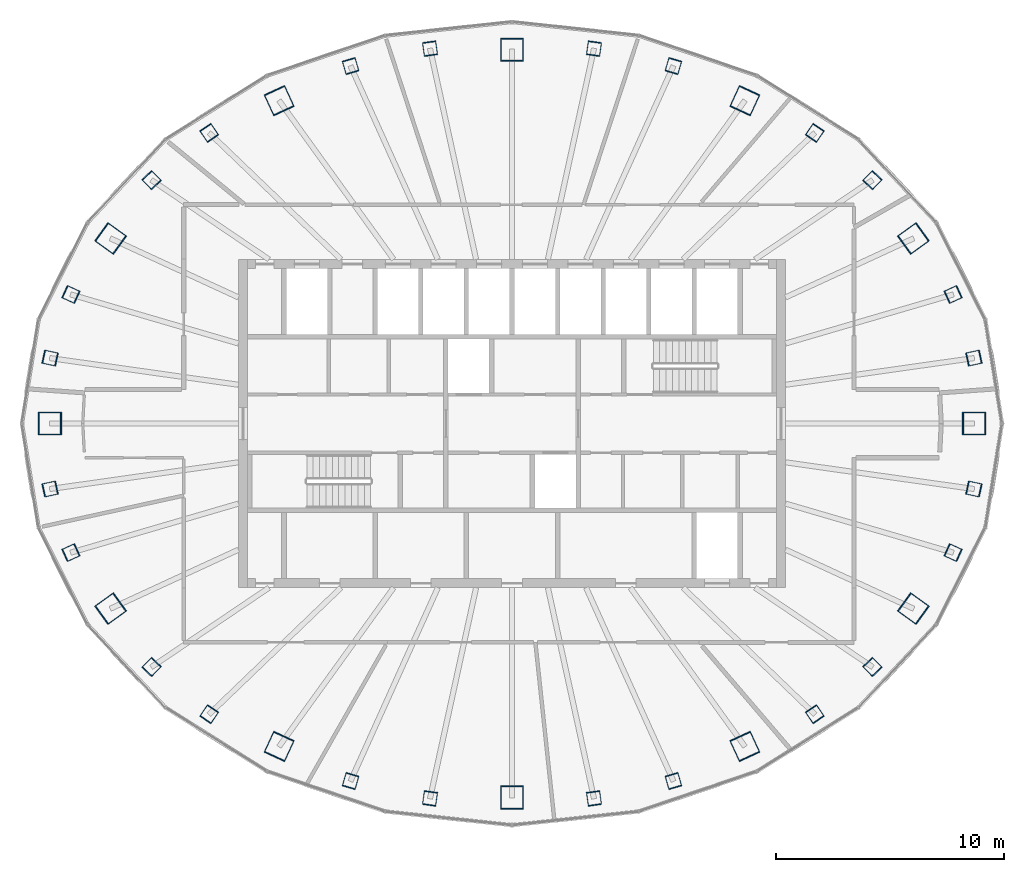
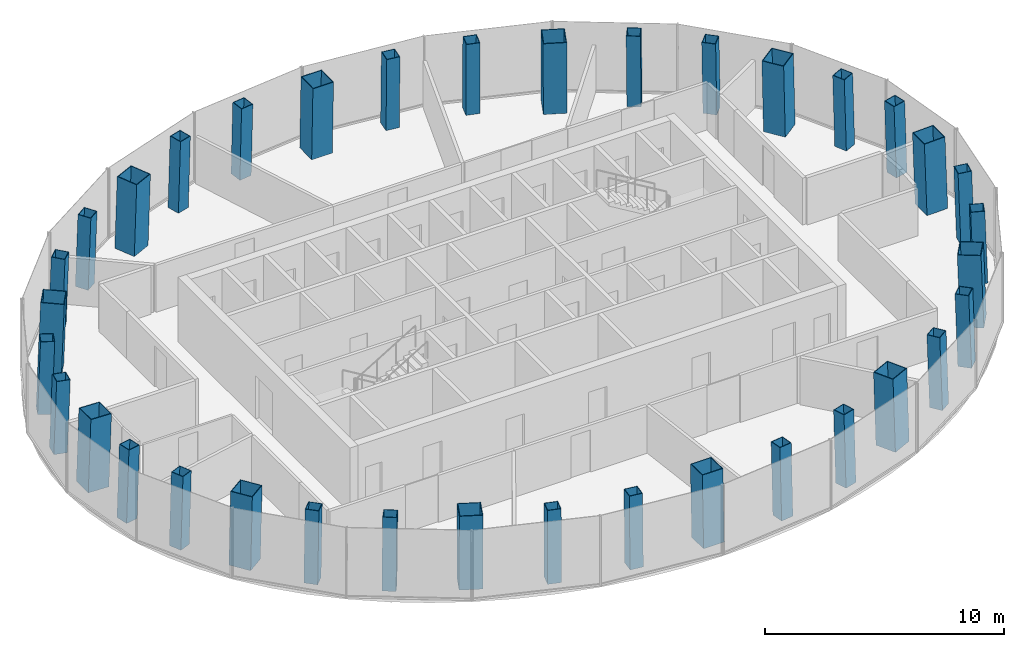
# One storey, part 1 of 12: 36 columns.
"""IFC4 building model written with IfcOpenShell, lengths in metres."""

import ifcopenshell
import ifcopenshell.guid

model = None  # the IFC model being written
_history = None  # IfcOwnerHistory: only IFC2X3 demands one
_inside = {}  # id of a spatial element -> (the spatial element, [elements in it])
_under = {}  # id of a project, library or spatial element -> (it, [spatial elements below it])
_declared = {}  # id of a project -> (the project, [libraries it declares])
_typed = {}  # id of a type object -> (the type object, [elements of that type])
_made_of = {}  # id of a material, layer set ... -> (it, [elements and type objects made of it])


def new_model(schema):
    """Start an empty IFC model of exactly this schema.

    Asked for "IFC4X3", IfcOpenShell would pick the latest addendum, in which some entities
    have other attributes; the version numbers below select the first issue.
    IFC2X3 requires an IfcOwnerHistory on every rooted entity: one is made here for all.
    """
    global model, _history
    if schema == "IFC4X3":
        model = ifcopenshell.file(schema_version=(4, 3, 0, 0))
    else:
        model = ifcopenshell.file(schema=schema)
    _inside.clear()
    _under.clear()
    _declared.clear()
    _typed.clear()
    _made_of.clear()
    _history = None
    if model.schema == "IFC2X3":
        org = make("IfcOrganization", Name="unknown")
        user = make(
            "IfcPersonAndOrganization",
            ThePerson=make("IfcPerson", FamilyName="unknown"),
            TheOrganization=org,
        )
        app = make(
            "IfcApplication",
            ApplicationDeveloper=org,
            Version="unknown",
            ApplicationFullName="unknown",
            ApplicationIdentifier="unknown",
        )
        _history = make(
            "IfcOwnerHistory",
            OwningUser=user,
            OwningApplication=app,
            ChangeAction="ADDED",
            CreationDate=0,
        )
    return model


def make(cls, **values):
    """One entity of the class cls with the attributes given. An attribute that is None is left unset."""
    return model.create_entity(
        cls, **{name: value for name, value in values.items() if value is not None}
    )


def rooted(cls, **values):
    """An entity with a GlobalId (a new one), such as an element, a storey or a relation."""
    return make(cls, GlobalId=ifcopenshell.guid.new(), OwnerHistory=_history, **values)


def si_unit(unit_type, name, prefix=None):
    """IfcSIUnit, for example si_unit("LENGTHUNIT", "METRE", prefix="MILLI")."""
    return make("IfcSIUnit", UnitType=unit_type, Prefix=prefix, Name=name)


def assignment(units):
    """IfcUnitAssignment: the units of a project."""
    return None if units is None else make("IfcUnitAssignment", Units=units)


def point(xyz):
    """IfcCartesianPoint."""
    return None if xyz is None else make("IfcCartesianPoint", Coordinates=xyz)


def direction(xyz):
    """IfcDirection."""
    return None if xyz is None else make("IfcDirection", DirectionRatios=xyz)


def frame(location, z_axis=None, x_axis=None):
    """IfcAxis2Placement3D, a coordinate frame: its origin and axes. An axis left out is left unset."""
    return make(
        "IfcAxis2Placement3D",
        Location=point(location),
        Axis=direction(z_axis),
        RefDirection=direction(x_axis),
    )


def frame_2d(location, x_axis=None):
    """IfcAxis2Placement2D, a coordinate frame in the plane: its origin and x axis."""
    return make(
        "IfcAxis2Placement2D", Location=point(location), RefDirection=direction(x_axis)
    )


def origin():
    """The frame at (0, 0, 0) with its axes left unset."""
    return frame((0.0, 0.0, 0.0))


def origin_2d():
    """The frame at (0, 0) in the plane with its x axis left unset."""
    return frame_2d((0.0, 0.0))


def place(relative_to, where):
    """IfcLocalPlacement: puts the frame where relative to a parent placement (None: the world)."""
    return make(
        "IfcLocalPlacement", PlacementRelTo=relative_to, RelativePlacement=where
    )


def context(
    kind, dimensions, precision=None, world=None, true_north=None, identifier=None
):
    """IfcGeometricRepresentationContext, for example the 3D "Model" context."""
    return make(
        "IfcGeometricRepresentationContext",
        ContextIdentifier=identifier,
        ContextType=kind,
        CoordinateSpaceDimension=dimensions,
        Precision=precision,
        WorldCoordinateSystem=world,
        TrueNorth=true_north,
    )


def subcontext(parent, identifier, kind, view, scale=None):
    """IfcGeometricRepresentationSubContext, for example "Body" below "Model"."""
    return make(
        "IfcGeometricRepresentationSubContext",
        ContextIdentifier=identifier,
        ContextType=kind,
        ParentContext=parent,
        TargetScale=scale,
        TargetView=view,
    )


def project(units=None, contexts=None):
    """IfcProject with its units and contexts."""
    return rooted(
        "IfcProject",
        Name="project",
        RepresentationContexts=contexts,
        UnitsInContext=assignment(units),
    )


def spatial(cls, under=None, at=None, **own):
    """A site, building, storey or space (cls), placed at a placement, below another one or the project."""
    s = rooted(cls, ObjectPlacement=at, **own)
    if under is not None:
        _under.setdefault(under.id(), (under, []))[1].append(s)
    return s


def profile(cls, at=None, kind="AREA", **sizes):
    """A parametric profile (cls). Its sizes go by their IFC names, for example OverallWidth=200.0."""
    return make(cls, ProfileType=kind, Position=at, **sizes)


def hollow_rectangle(**sizes):
    """IfcRectangleHollowProfileDef."""
    return profile("IfcRectangleHollowProfileDef", **sizes)


def extrude(swept, where, along, depth):
    """IfcExtrudedAreaSolid: the profile swept, set in the frame where, extruded along a direction by depth."""
    return make(
        "IfcExtrudedAreaSolid",
        SweptArea=swept,
        Position=where,
        ExtrudedDirection=direction(along),
        Depth=depth,
    )


def shape(context_of_items, identifier, shape_type, items):
    """IfcShapeRepresentation: the items that make up one representation, for example the "Body"."""
    return make(
        "IfcShapeRepresentation",
        ContextOfItems=context_of_items,
        RepresentationIdentifier=identifier,
        RepresentationType=shape_type,
        Items=items,
    )


def material(Name=None, Category=None):
    """IfcMaterial."""
    return make("IfcMaterial", Name=Name, Category=Category)


def material_profile(
    of_material, cross_section, Name=None, Category=None, Priority=None
):
    """IfcMaterialProfile: a cross section and its material."""
    return make(
        "IfcMaterialProfile",
        Name=Name,
        Material=of_material,
        Profile=cross_section,
        Priority=Priority,
        Category=Category,
    )


def profile_set(profiles, Name=None, composite=None):
    """IfcMaterialProfileSet."""
    return make(
        "IfcMaterialProfileSet",
        Name=Name,
        MaterialProfiles=profiles,
        CompositeProfile=composite,
    )


def made_of(thing, what):
    """Note that an element or type object is made of a material, layer set ...; save() writes the relation."""
    if what is not None:
        _made_of.setdefault(what.id(), (what, []))[1].append(thing)
    return thing


def type_object(cls, material=None, **own):
    """A type object (cls), such as IfcWallType, which elements share."""
    return made_of(rooted(cls, **own), material)


def element(
    cls,
    number,
    at=None,
    inside=None,
    cuts=None,
    type_object=None,
    material=None,
    context=None,
    identifier="Body",
    shape_type=None,
    held_by="IfcProductDefinitionShape",
    body=None,
    shapes=None,
    **own,
):
    """One element of the class cls, such as IfcWall. Its Tag is "e" and its number.

    at: its placement. inside: the storey or other place that contains it. cuts: it is an
    opening in that element (IfcRelVoidsElement). A single representation is given by context,
    identifier, shape_type and body (its items); several are given by shapes. held_by: the class
    of the entity that holds the representations. save() writes the other relations.
    """
    e = rooted(cls, Tag="e%d" % number, ObjectPlacement=at, **own)
    if body is not None:
        shapes = [shape(context, identifier, shape_type, body)]
    if shapes is not None:
        e.Representation = make(held_by, Representations=shapes)
    if inside is not None:
        _inside.setdefault(inside.id(), (inside, []))[1].append(e)
    if cuts is not None:
        rooted(
            "IfcRelVoidsElement", RelatingBuildingElement=cuts, RelatedOpeningElement=e
        )
    if type_object is not None:
        _typed.setdefault(type_object.id(), (type_object, []))[1].append(e)
    return made_of(e, material)


def aggregate(whole, parts):
    """IfcRelAggregates: a whole, such as a stair, and the parts it consists of."""
    return rooted("IfcRelAggregates", RelatingObject=whole, RelatedObjects=parts)


def save(model, path):
    """Write the relations noted so far, then the file.

    IfcRelAggregates (storeys below a building ...), IfcRelContainedInSpatialStructure (elements
    in a storey), IfcRelDefinesByType, IfcRelAssociatesMaterial and IfcRelDeclares: one each for
    every whole, place, type object, material and project.
    """
    for whole, parts in _under.values():
        aggregate(whole, parts)
    for where, things in _inside.values():
        rooted(
            "IfcRelContainedInSpatialStructure",
            RelatedElements=things,
            RelatingStructure=where,
        )
    for kind, things in _typed.values():
        rooted("IfcRelDefinesByType", RelatedObjects=things, RelatingType=kind)
    for what, things in _made_of.values():
        rooted("IfcRelAssociatesMaterial", RelatedObjects=things, RelatingMaterial=what)
    for by, libraries in _declared.values():
        rooted("IfcRelDeclares", RelatingContext=by, RelatedDefinitions=libraries)
    model.write(path)


model = new_model("IFC4")

# Units and contexts
model_context = context("Model", 3, precision=1e-05, world=origin(), true_north=direction((0.0, 1.0)))
body_context = subcontext(model_context, "Body", "Model", "MODEL_VIEW")
ifc_project = project(units=[si_unit("LENGTHUNIT", "METRE"), si_unit("AREAUNIT", "SQUARE_METRE"), si_unit("VOLUMEUNIT", "CUBIC_METRE"), si_unit("PLANEANGLEUNIT", "RADIAN"), si_unit("MASSUNIT", "GRAM", prefix="KILO")], contexts=[model_context])

# Site, building, storey
site_placement = place(None, origin())
site = spatial("IfcSite", under=ifc_project, at=site_placement, CompositionType="ELEMENT")
building_placement = place(site_placement, origin())
building = spatial("IfcBuilding", under=site, at=building_placement, Name="Siaravel Broadcast Tower", CompositionType="ELEMENT")
storey_placement = place(building_placement, frame((0.0, 0.0, 235.60009765625)))
storey = spatial("IfcBuildingStorey", under=building, at=storey_placement, Name="L57", CompositionType="ELEMENT", Elevation=235.60009765625)

# Columns
ifc_material_1 = material(Name="Concrete C70/85", Category="concrete")
ifc_material_profile_1 = material_profile(ifc_material_1, hollow_rectangle(XDim=1.0, YDim=1.0, WallThickness=0.031982421875, at=origin_2d()))
ifc_profile_set_1 = profile_set([ifc_material_profile_1], Name="Concrete C70/85")
column_type_1 = type_object("IfcColumnType", Name="COL-CFT BOX 1000x1000x32", PredefinedType="COLUMN", material=ifc_profile_set_1)
column_1_placement = place(storey_placement, frame((20.2880859375, 0.0, 0.0), z_axis=(-0.034621265, 0.0, 0.999400504), x_axis=(0.0, -1.0, 0.0)))
element("IfcColumn", 1, at=column_1_placement, inside=storey, type_object=column_type_1, Name="Megacolumn MC01", PredefinedType="COLUMN", context=body_context, shape_type="SweptSolid", body=[
    extrude(hollow_rectangle(XDim=1.0, YDim=1.0, WallThickness=0.031982421875, at=origin_2d()), origin(), (0.0, 0.0, 1.0), 3.7021484375),
])
column_2_placement = place(storey_placement, frame((17.623291015625, 8.1259765625, 0.0), z_axis=(-0.029940667, -0.01417895, 0.999451106), x_axis=(0.584368829, -0.811466046, 0.005993946)))
element("IfcColumn", 2, at=column_2_placement, inside=storey, type_object=column_type_1, Name="Megacolumn MC02", PredefinedType="COLUMN", context=body_context, shape_type="SweptSolid", body=[
    extrude(hollow_rectangle(XDim=1.0, YDim=1.0, WallThickness=0.031982421875, at=origin_2d()), origin(), (0.0, 0.0, 1.0), 3.701904296875),
])
column_3_placement = place(storey_placement, frame((10.2236328125, 14.177490234375, 0.0), z_axis=(-0.017280265, -0.024469383, 0.99955122), x_axis=(0.908141957, -0.418626878, 0.005451839)))
element("IfcColumn", 3, at=column_3_placement, inside=storey, type_object=column_type_1, Name="Megacolumn MC03", PredefinedType="COLUMN", context=body_context, shape_type="SweptSolid", body=[
    extrude(hollow_rectangle(XDim=1.0, YDim=1.0, WallThickness=0.031982421875, at=origin_2d()), origin(), (0.0, 0.0, 1.0), 3.70166015625),
])
column_4_placement = place(storey_placement, frame((0.0, 16.419189453125, 0.0), z_axis=(0.0, -0.02836206, 0.999597716), x_axis=(1.0, 0.0, 0.0)))
element("IfcColumn", 4, at=column_4_placement, inside=storey, type_object=column_type_1, Name="Megacolumn MC04", PredefinedType="COLUMN", context=body_context, shape_type="SweptSolid", body=[
    extrude(hollow_rectangle(XDim=1.0, YDim=1.0, WallThickness=0.031982421875, at=origin_2d()), origin(), (0.0, 0.0, 1.0), 3.701416015625),
])
column_5_placement = place(storey_placement, frame((-10.2236328125, 14.177490234375, 0.0), z_axis=(0.017280265, -0.024469383, 0.99955122), x_axis=(0.908141957, 0.418626878, -0.005451839)))
element("IfcColumn", 5, at=column_5_placement, inside=storey, type_object=column_type_1, Name="Megacolumn MC05", PredefinedType="COLUMN", context=body_context, shape_type="SweptSolid", body=[
    extrude(hollow_rectangle(XDim=1.0, YDim=1.0, WallThickness=0.031982421875, at=origin_2d()), origin(), (0.0, 0.0, 1.0), 3.70166015625),
])
column_6_placement = place(storey_placement, frame((-17.623291015625, 8.1259765625, 0.0), z_axis=(0.029940667, -0.01417895, 0.999451106), x_axis=(0.584368829, 0.811466046, -0.005993946)))
element("IfcColumn", 6, at=column_6_placement, inside=storey, type_object=column_type_1, Name="Megacolumn MC06", PredefinedType="COLUMN", context=body_context, shape_type="SweptSolid", body=[
    extrude(hollow_rectangle(XDim=1.0, YDim=1.0, WallThickness=0.031982421875, at=origin_2d()), origin(), (0.0, 0.0, 1.0), 3.701904296875),
])
column_7_placement = place(storey_placement, frame((-20.2880859375, 0.0, 0.0), z_axis=(0.034621265, 0.0, 0.999400504), x_axis=(0.0, 1.0, 0.0)))
element("IfcColumn", 7, at=column_7_placement, inside=storey, type_object=column_type_1, Name="Megacolumn MC07", PredefinedType="COLUMN", context=body_context, shape_type="SweptSolid", body=[
    extrude(hollow_rectangle(XDim=1.0, YDim=1.0, WallThickness=0.031982421875, at=origin_2d()), origin(), (0.0, 0.0, 1.0), 3.7021484375),
])
column_8_placement = place(storey_placement, frame((-17.623291015625, -8.1259765625, 0.0), z_axis=(0.029940667, 0.01417895, 0.999451106), x_axis=(-0.584368829, 0.811466046, 0.005993946)))
element("IfcColumn", 8, at=column_8_placement, inside=storey, type_object=column_type_1, Name="Megacolumn MC08", PredefinedType="COLUMN", context=body_context, shape_type="SweptSolid", body=[
    extrude(hollow_rectangle(XDim=1.0, YDim=1.0, WallThickness=0.031982421875, at=origin_2d()), origin(), (0.0, 0.0, 1.0), 3.701904296875),
])
column_9_placement = place(storey_placement, frame((-10.2236328125, -14.177490234375, 0.0), z_axis=(0.017280265, 0.024469383, 0.99955122), x_axis=(-0.908141957, 0.418626878, 0.005451839)))
element("IfcColumn", 9, at=column_9_placement, inside=storey, type_object=column_type_1, Name="Megacolumn MC09", PredefinedType="COLUMN", context=body_context, shape_type="SweptSolid", body=[
    extrude(hollow_rectangle(XDim=1.0, YDim=1.0, WallThickness=0.031982421875, at=origin_2d()), origin(), (0.0, 0.0, 1.0), 3.70166015625),
])
column_10_placement = place(storey_placement, frame((0.0, -16.419189453125, 0.0), z_axis=(0.0, 0.02836206, 0.999597716), x_axis=(-1.0, 0.0, 0.0)))
element("IfcColumn", 10, at=column_10_placement, inside=storey, type_object=column_type_1, Name="Megacolumn MC10", PredefinedType="COLUMN", context=body_context, shape_type="SweptSolid", body=[
    extrude(hollow_rectangle(XDim=1.0, YDim=1.0, WallThickness=0.031982421875, at=origin_2d()), origin(), (0.0, 0.0, 1.0), 3.701416015625),
])
column_11_placement = place(storey_placement, frame((10.2236328125, -14.177490234375, 0.0), z_axis=(-0.017280265, 0.024469383, 0.99955122), x_axis=(-0.908141957, -0.418626878, -0.005451839)))
element("IfcColumn", 11, at=column_11_placement, inside=storey, type_object=column_type_1, Name="Megacolumn MC11", PredefinedType="COLUMN", context=body_context, shape_type="SweptSolid", body=[
    extrude(hollow_rectangle(XDim=1.0, YDim=1.0, WallThickness=0.031982421875, at=origin_2d()), origin(), (0.0, 0.0, 1.0), 3.70166015625),
])
column_12_placement = place(storey_placement, frame((17.623291015625, -8.1259765625, 0.0), z_axis=(-0.029940667, 0.01417895, 0.999451106), x_axis=(-0.584368829, -0.811466046, -0.005993946)))
element("IfcColumn", 12, at=column_12_placement, inside=storey, type_object=column_type_1, Name="Megacolumn MC12", PredefinedType="COLUMN", context=body_context, shape_type="SweptSolid", body=[
    extrude(hollow_rectangle(XDim=1.0, YDim=1.0, WallThickness=0.031982421875, at=origin_2d()), origin(), (0.0, 0.0, 1.0), 3.701904296875),
])
ifc_material_2 = material(Name="Concrete C50/60", Category="concrete")
ifc_material_profile_2 = material_profile(ifc_material_2, hollow_rectangle(XDim=0.60009765625, YDim=0.60009765625, WallThickness=0.02490234375, at=origin_2d()))
ifc_profile_set_2 = profile_set([ifc_material_profile_2], Name="Concrete C50/60")
column_type_2 = type_object("IfcColumnType", Name="COL-CFT BOX 600x600x25", PredefinedType="COLUMN", material=ifc_profile_set_2)
for number, where, z_axis, x_axis, name in (
    (13, (20.281005859375, 2.873779296875, 0.0), (-0.034093914, -0.00487998, 0.999406719), (0.211771136, -0.977316209, 0.002452278), "Perimeter column C01"),
    (14, (19.3671875, 5.6669921875, 0.0), (-0.032577668, -0.009694164, 0.999422192), (0.410159273, -0.912002691, 0.004523542), "Perimeter column C02"),
):
    element("IfcColumn", number, at=place(storey_placement, frame(where, z_axis=z_axis, x_axis=x_axis)), inside=storey, type_object=column_type_2, Name=name, PredefinedType="COLUMN", context=body_context, shape_type="SweptSolid", body=[
        extrude(hollow_rectangle(XDim=0.60009765625, YDim=0.60009765625, WallThickness=0.02490234375, at=origin_2d()), origin(), (0.0, 0.0, 1.0), 3.7021484375),
    ])
column_13_placement = place(storey_placement, frame((15.8251953125, 10.688720703125, 0.0), z_axis=(-0.026446242, -0.018268352, 0.999483298), x_axis=(0.722768771, -0.691059433, 0.006493356)))
element("IfcColumn", 15, at=column_13_placement, inside=storey, type_object=column_type_2, Name="Perimeter column C03", PredefinedType="COLUMN", context=body_context, shape_type="SweptSolid", body=[
    extrude(hollow_rectangle(XDim=0.60009765625, YDim=0.60009765625, WallThickness=0.02490234375, at=origin_2d()), origin(), (0.0, 0.0, 1.0), 3.701904296875),
])
column_14_placement = place(storey_placement, frame((13.294921875, 12.76123046875, 0.0), z_axis=(-0.022292076, -0.0216985, 0.999516002), x_axis=(0.827979801, -0.560722605, 0.006293595)))
element("IfcColumn", 16, at=column_14_placement, inside=storey, type_object=column_type_2, Name="Perimeter column C04", PredefinedType="COLUMN", context=body_context, shape_type="SweptSolid", body=[
    extrude(hollow_rectangle(XDim=0.60009765625, YDim=0.60009765625, WallThickness=0.02490234375, at=origin_2d()), origin(), (0.0, 0.0, 1.0), 3.70166015625),
])
for number, where, z_axis, x_axis, name in (
    (17, (7.086669921875, 15.696044921875, 0.0), (-0.011872213, -0.026646524, 0.999574416), (0.959698272, -0.281005261, 0.003907592), "Perimeter column C05"),
    (18, (3.599609375, 16.461181640625, 0.0), (-0.006002173, -0.027900212, 0.999592693), (0.990201099, -0.139633766, 0.002048381), "Perimeter column C06"),
    (19, (-3.599609375, 16.461181640625, 0.0), (0.006002173, -0.027900212, 0.999592693), (0.990201099, 0.139633766, -0.002048381), "Perimeter column C07"),
    (20, (-7.086669921875, 15.696044921875, 0.0), (0.011872213, -0.026646524, 0.999574416), (0.959698272, 0.281005261, -0.003907592), "Perimeter column C08"),
):
    element("IfcColumn", number, at=place(storey_placement, frame(where, z_axis=z_axis, x_axis=x_axis)), inside=storey, type_object=column_type_2, Name=name, PredefinedType="COLUMN", context=body_context, shape_type="SweptSolid", body=[
        extrude(hollow_rectangle(XDim=0.60009765625, YDim=0.60009765625, WallThickness=0.02490234375, at=origin_2d()), origin(), (0.0, 0.0, 1.0), 3.701416015625),
    ])
column_15_placement = place(storey_placement, frame((-13.294921875, 12.76123046875, 0.0), z_axis=(0.022292076, -0.0216985, 0.999516002), x_axis=(0.827979801, 0.560722605, -0.006293595)))
element("IfcColumn", 21, at=column_15_placement, inside=storey, type_object=column_type_2, Name="Perimeter column C09", PredefinedType="COLUMN", context=body_context, shape_type="SweptSolid", body=[
    extrude(hollow_rectangle(XDim=0.60009765625, YDim=0.60009765625, WallThickness=0.02490234375, at=origin_2d()), origin(), (0.0, 0.0, 1.0), 3.70166015625),
])
column_16_placement = place(storey_placement, frame((-15.8251953125, 10.688720703125, 0.0), z_axis=(0.026446242, -0.018268352, 0.999483298), x_axis=(0.722768771, 0.691059433, -0.006493356)))
element("IfcColumn", 22, at=column_16_placement, inside=storey, type_object=column_type_2, Name="Perimeter column C10", PredefinedType="COLUMN", context=body_context, shape_type="SweptSolid", body=[
    extrude(hollow_rectangle(XDim=0.60009765625, YDim=0.60009765625, WallThickness=0.02490234375, at=origin_2d()), origin(), (0.0, 0.0, 1.0), 3.701904296875),
])
for number, where, z_axis, x_axis, name in (
    (23, (-19.3671875, 5.6669921875, 0.0), (0.032577668, -0.009694164, 0.999422192), (0.410159273, 0.912002691, -0.004523542), "Perimeter column C11"),
    (24, (-20.281005859375, 2.873779296875, 0.0), (0.034093914, -0.00487998, 0.999406719), (0.211771136, 0.977316209, -0.002452278), "Perimeter column C12"),
    (25, (-20.281005859375, -2.873779296875, 0.0), (0.034093914, 0.00487998, 0.999406719), (-0.211771136, 0.977316209, 0.002452278), "Perimeter column C13"),
    (26, (-19.3671875, -5.6669921875, 0.0), (0.032577668, 0.009694164, 0.999422192), (-0.410159273, 0.912002691, 0.004523542), "Perimeter column C14"),
):
    element("IfcColumn", number, at=place(storey_placement, frame(where, z_axis=z_axis, x_axis=x_axis)), inside=storey, type_object=column_type_2, Name=name, PredefinedType="COLUMN", context=body_context, shape_type="SweptSolid", body=[
        extrude(hollow_rectangle(XDim=0.60009765625, YDim=0.60009765625, WallThickness=0.02490234375, at=origin_2d()), origin(), (0.0, 0.0, 1.0), 3.7021484375),
    ])
column_17_placement = place(storey_placement, frame((-15.8251953125, -10.688720703125, 0.0), z_axis=(0.026446242, 0.018268352, 0.999483298), x_axis=(-0.722768771, 0.691059433, 0.006493356)))
element("IfcColumn", 27, at=column_17_placement, inside=storey, type_object=column_type_2, Name="Perimeter column C15", PredefinedType="COLUMN", context=body_context, shape_type="SweptSolid", body=[
    extrude(hollow_rectangle(XDim=0.60009765625, YDim=0.60009765625, WallThickness=0.02490234375, at=origin_2d()), origin(), (0.0, 0.0, 1.0), 3.701904296875),
])
column_18_placement = place(storey_placement, frame((-13.294921875, -12.76123046875, 0.0), z_axis=(0.022292076, 0.0216985, 0.999516002), x_axis=(-0.827979801, 0.560722605, 0.006293595)))
element("IfcColumn", 28, at=column_18_placement, inside=storey, type_object=column_type_2, Name="Perimeter column C16", PredefinedType="COLUMN", context=body_context, shape_type="SweptSolid", body=[
    extrude(hollow_rectangle(XDim=0.60009765625, YDim=0.60009765625, WallThickness=0.02490234375, at=origin_2d()), origin(), (0.0, 0.0, 1.0), 3.70166015625),
])
for number, where, z_axis, x_axis, name in (
    (29, (-7.086669921875, -15.696044921875, 0.0), (0.011872213, 0.026646524, 0.999574416), (-0.959698272, 0.281005261, 0.003907592), "Perimeter column C17"),
    (30, (-3.599609375, -16.461181640625, 0.0), (0.006002173, 0.027900212, 0.999592693), (-0.990201099, 0.139633766, 0.002048381), "Perimeter column C18"),
    (31, (3.599609375, -16.461181640625, 0.0), (-0.006002173, 0.027900212, 0.999592693), (-0.990201099, -0.139633766, -0.002048381), "Perimeter column C19"),
    (32, (7.086669921875, -15.696044921875, 0.0), (-0.011872213, 0.026646524, 0.999574416), (-0.959698272, -0.281005261, -0.003907592), "Perimeter column C20"),
):
    element("IfcColumn", number, at=place(storey_placement, frame(where, z_axis=z_axis, x_axis=x_axis)), inside=storey, type_object=column_type_2, Name=name, PredefinedType="COLUMN", context=body_context, shape_type="SweptSolid", body=[
        extrude(hollow_rectangle(XDim=0.60009765625, YDim=0.60009765625, WallThickness=0.02490234375, at=origin_2d()), origin(), (0.0, 0.0, 1.0), 3.701416015625),
    ])
column_19_placement = place(storey_placement, frame((13.294921875, -12.76123046875, 0.0), z_axis=(-0.022292076, 0.0216985, 0.999516002), x_axis=(-0.827979801, -0.560722605, -0.006293595)))
element("IfcColumn", 33, at=column_19_placement, inside=storey, type_object=column_type_2, Name="Perimeter column C21", PredefinedType="COLUMN", context=body_context, shape_type="SweptSolid", body=[
    extrude(hollow_rectangle(XDim=0.60009765625, YDim=0.60009765625, WallThickness=0.02490234375, at=origin_2d()), origin(), (0.0, 0.0, 1.0), 3.70166015625),
])
column_20_placement = place(storey_placement, frame((15.8251953125, -10.688720703125, 0.0), z_axis=(-0.026446242, 0.018268352, 0.999483298), x_axis=(-0.722768771, -0.691059433, -0.006493356)))
element("IfcColumn", 34, at=column_20_placement, inside=storey, type_object=column_type_2, Name="Perimeter column C22", PredefinedType="COLUMN", context=body_context, shape_type="SweptSolid", body=[
    extrude(hollow_rectangle(XDim=0.60009765625, YDim=0.60009765625, WallThickness=0.02490234375, at=origin_2d()), origin(), (0.0, 0.0, 1.0), 3.701904296875),
])
for number, where, z_axis, x_axis, name in (
    (35, (19.3671875, -5.6669921875, 0.0), (-0.032577668, 0.009694164, 0.999422192), (-0.410159273, -0.912002691, -0.004523542), "Perimeter column C23"),
    (36, (20.281005859375, -2.873779296875, 0.0), (-0.034093914, 0.00487998, 0.999406719), (-0.211771136, -0.977316209, -0.002452278), "Perimeter column C24"),
):
    element("IfcColumn", number, at=place(storey_placement, frame(where, z_axis=z_axis, x_axis=x_axis)), inside=storey, type_object=column_type_2, Name=name, PredefinedType="COLUMN", context=body_context, shape_type="SweptSolid", body=[
        extrude(hollow_rectangle(XDim=0.60009765625, YDim=0.60009765625, WallThickness=0.02490234375, at=origin_2d()), origin(), (0.0, 0.0, 1.0), 3.7021484375),
    ])

save(model, "model.ifc")
